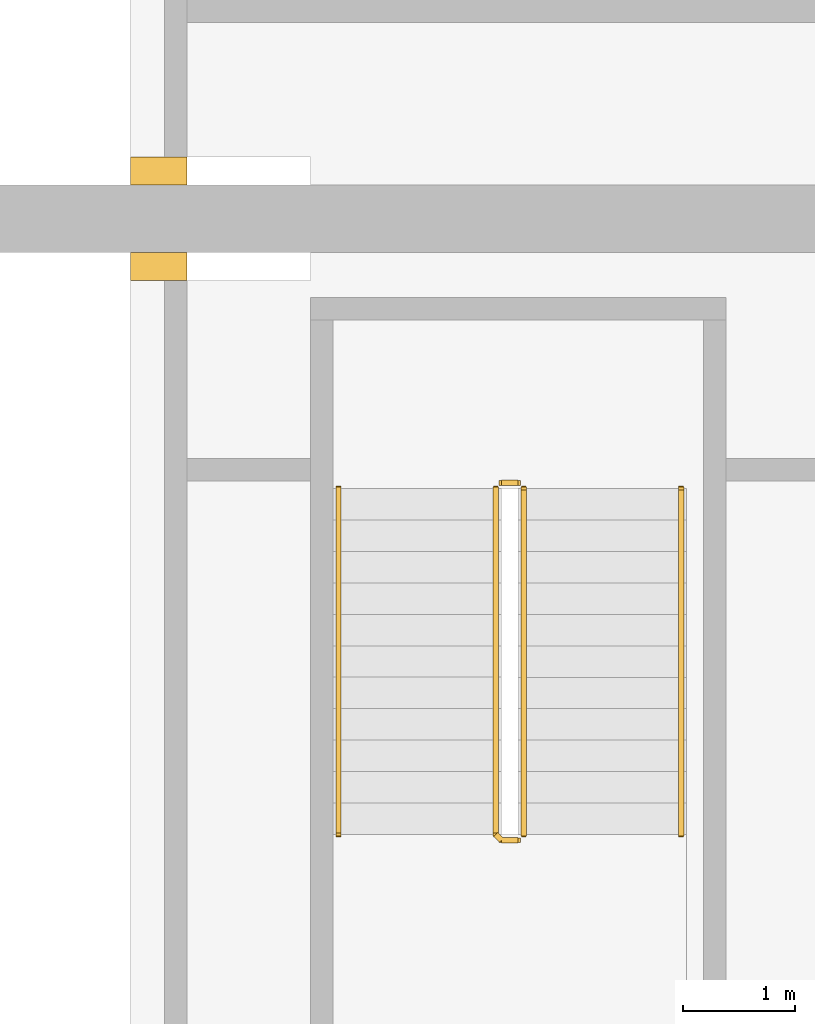
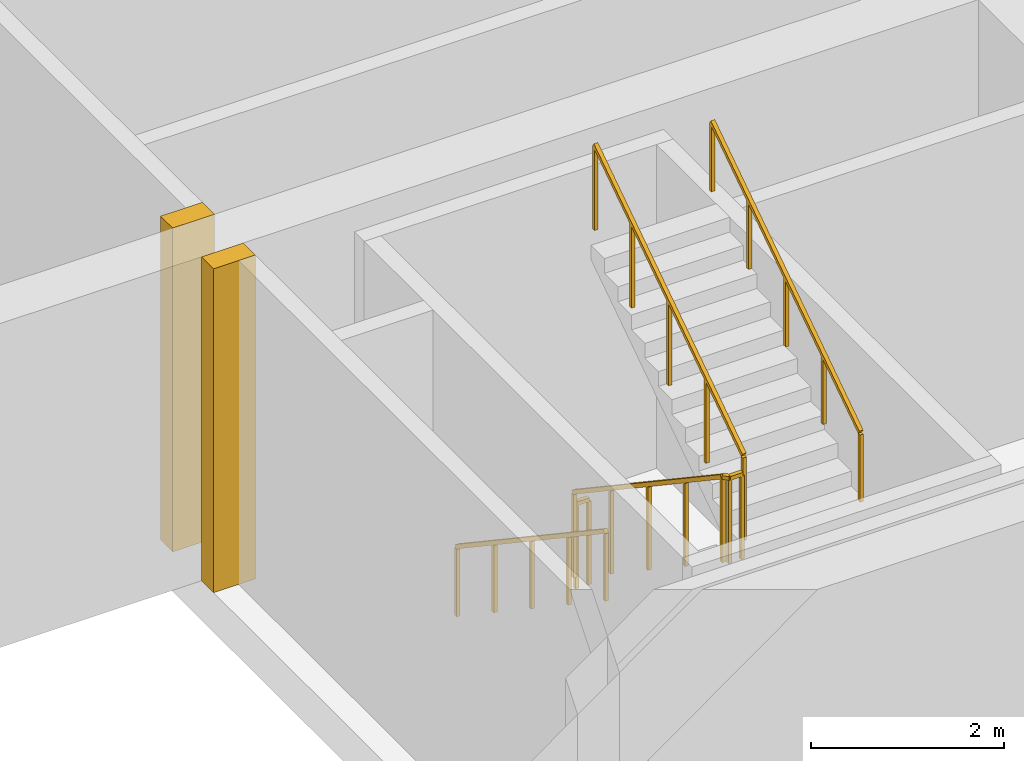
# One storey, part 7 of 10: 5 railings, 2 coverings.
"""IFC4 building model written with IfcOpenShell, lengths in metres."""

from ifc_helpers import new_model, si_unit, direction, frame, origin, origin_2d, place, context, subcontext, project, spatial, polyline, rectangle, outline, extrude, material, type_object, element, save


model = new_model("IFC4")

# Units and contexts
model_context = context("Model", 3, precision=1e-05, world=origin(), true_north=direction((0.0, 1.0)))
body_context = subcontext(model_context, "Body", "Model", "MODEL_VIEW")
ifc_project = project(units=[si_unit("LENGTHUNIT", "METRE"), si_unit("AREAUNIT", "SQUARE_METRE"), si_unit("VOLUMEUNIT", "CUBIC_METRE"), si_unit("PLANEANGLEUNIT", "RADIAN"), si_unit("MASSUNIT", "GRAM", prefix="KILO")], contexts=[model_context])

# Site, building, storey
site_placement = place(None, origin())
site = spatial("IfcSite", under=ifc_project, at=site_placement, CompositionType="ELEMENT")
building_placement = place(site_placement, origin())
building = spatial("IfcBuilding", under=site, at=building_placement, Name="Vermilion Ogive Tower", CompositionType="ELEMENT")
storey_placement = place(building_placement, frame((0.0, 0.0, 171.050048828125)))
storey = spatial("IfcBuildingStorey", under=building, at=storey_placement, Name="L44", CompositionType="ELEMENT", Elevation=171.050048828125)

# Railings
ifc_material_1 = material(Name="Steel S355 painted", Category="steel")
railing_type_1 = type_object("IfcRailingType", Name="Stair guard 1100", PredefinedType="GUARDRAIL", material=ifc_material_1)
railing_1_placement = place(storey_placement, frame((-18.800048828125, 1.800048828125, 0.1875)))
element("IfcRailing", 1, at=railing_1_placement, inside=storey, type_object=railing_type_1, Name="L44 ST9 stair guard 1", PredefinedType="GUARDRAIL", context=body_context, shape_type="SweptSolid", body=[
    extrude(rectangle(XDim=0.048095703125, YDim=0.048095703125, at=origin_2d()), frame((0.0, 0.0, 1.076171875), z_axis=(0.0, -0.830913701846, 0.55640131208), x_axis=(1.0, 0.0, 0.0)), (0.0, 0.0, 1.0), 3.706787109375),
    extrude(rectangle(XDim=0.048095703125, YDim=0.048095703125, at=origin_2d()), frame((0.0, -3.080078125, 3.138671875), z_axis=(0.707106781187, -0.707106781187, 0.0), x_axis=(0.707106781187, 0.707106781187, 0.0)), (0.0, 0.0, 1.0), 0.07080078125),
    extrude(rectangle(XDim=0.048095703125, YDim=0.048095703125, at=origin_2d()), frame((0.050048828125, -3.130126953125, 3.138671875), z_axis=(1.0, 0.0, 0.0), x_axis=(0.0, 1.0, 0.0)), (0.0, 0.0, 1.0), 0.14990234375),
    extrude(rectangle(XDim=0.0419921875, YDim=0.0419921875, at=origin_2d()), origin(), (0.0, 0.0, 1.0), 1.052001953125),
    extrude(rectangle(XDim=0.0419921875, YDim=0.0419921875, at=origin_2d()), frame((0.0, -0.77001953125, 0.515625)), (0.0, 0.0, 1.0), 1.052001953125),
    extrude(rectangle(XDim=0.0419921875, YDim=0.0419921875, at=origin_2d()), frame((0.0, -1.5400390625, 1.03125)), (0.0, 0.0, 1.0), 1.052001953125),
    extrude(rectangle(XDim=0.0419921875, YDim=0.0419921875, at=origin_2d()), frame((0.0, -2.31005859375, 1.546875)), (0.0, 0.0, 1.0), 1.052001953125),
    extrude(rectangle(XDim=0.0419921875, YDim=0.0419921875, at=origin_2d()), frame((0.0, -3.080078125, 2.0625)), (0.0, 0.0, 1.0), 1.052001953125),
    extrude(rectangle(XDim=0.0419921875, YDim=0.0419921875, at=origin_2d()), frame((0.050048828125, -3.130126953125, 2.0625)), (0.0, 0.0, 1.0), 1.052001953125),
    extrude(rectangle(XDim=0.0419921875, YDim=0.0419921875, at=origin_2d()), frame((0.199951171875, -3.130126953125, 2.0625)), (0.0, 0.0, 1.0), 1.052001953125),
])
railing_2_placement = place(storey_placement, frame((-18.550048828125, -1.280029296875, 2.4375)))
element("IfcRailing", 2, at=railing_2_placement, inside=storey, type_object=railing_type_1, Name="L44 ST9 stair guard 3", PredefinedType="GUARDRAIL", context=body_context, shape_type="SweptSolid", body=[
    extrude(rectangle(XDim=0.048095703125, YDim=0.048095703125, at=origin_2d()), frame((0.0, 0.0, 1.076171875), z_axis=(0.0, 0.830913701846, 0.55640131208), x_axis=(-1.0, 0.0, 0.0)), (0.0, 0.0, 1.0), 3.706787109375),
    extrude(rectangle(XDim=0.0419921875, YDim=0.0419921875, at=origin_2d()), origin(), (0.0, 0.0, 1.0), 1.052001953125),
    extrude(rectangle(XDim=0.0419921875, YDim=0.0419921875, at=origin_2d()), frame((0.0, 0.77001953125, 0.515625)), (0.0, 0.0, 1.0), 1.052001953125),
    extrude(rectangle(XDim=0.0419921875, YDim=0.0419921875, at=origin_2d()), frame((0.0, 1.5400390625, 1.03125)), (0.0, 0.0, 1.0), 1.052001953125),
    extrude(rectangle(XDim=0.0419921875, YDim=0.0419921875, at=origin_2d()), frame((0.0, 2.31005859375, 1.546875)), (0.0, 0.0, 1.0), 1.052001953125),
    extrude(rectangle(XDim=0.0419921875, YDim=0.0419921875, at=origin_2d()), frame((0.0, 3.080078125, 2.0625)), (0.0, 0.0, 1.0), 1.052001953125),
])
railing_3_placement = place(storey_placement, frame((-18.75, 1.85009765625, 0.0)))
element("IfcRailing", 3, at=railing_3_placement, inside=storey, type_object=railing_type_1, Name="L44 ST9 stair guard 4", PredefinedType="GUARDRAIL", context=body_context, shape_type="SweptSolid", body=[
    extrude(rectangle(XDim=0.048095703125, YDim=0.048095703125, at=origin_2d()), frame((0.0, 0.0, 1.076171875), z_axis=(1.0, 0.0, 0.0), x_axis=(0.0, 1.0, 0.0)), (0.0, 0.0, 1.0), 0.14990234375),
    extrude(rectangle(XDim=0.0419921875, YDim=0.0419921875, at=origin_2d()), origin(), (0.0, 0.0, 1.0), 1.052001953125),
    extrude(rectangle(XDim=0.0419921875, YDim=0.0419921875, at=origin_2d()), frame((0.14990234375, 0.0, 0.0)), (0.0, 0.0, 1.0), 1.052001953125),
])
ifc_material_2 = material(Name="Stainless steel", Category="steel")
railing_type_2 = type_object("IfcRailingType", Name="Stair handrail 900", PredefinedType="HANDRAIL", material=ifc_material_2)
railing_4_placement = place(storey_placement, frame((-20.199951171875, 1.800048828125, 0.1875)))
element("IfcRailing", 4, at=railing_4_placement, inside=storey, type_object=railing_type_2, Name="L44 ST9 stair handrail 1", PredefinedType="HANDRAIL", context=body_context, shape_type="SweptSolid", body=[
    extrude(rectangle(XDim=0.048095703125, YDim=0.048095703125, at=origin_2d()), frame((0.0, 0.0, 0.8759765625), z_axis=(0.0, -0.830913701846, 0.55640131208), x_axis=(1.0, 0.0, 0.0)), (0.0, 0.0, 1.0), 3.706787109375),
    extrude(rectangle(XDim=0.0419921875, YDim=0.0419921875, at=origin_2d()), origin(), (0.0, 0.0, 1.0), 0.851806640625),
    extrude(rectangle(XDim=0.0419921875, YDim=0.0419921875, at=origin_2d()), frame((0.0, -0.77001953125, 0.515625)), (0.0, 0.0, 1.0), 0.851806640625),
    extrude(rectangle(XDim=0.0419921875, YDim=0.0419921875, at=origin_2d()), frame((0.0, -1.5400390625, 1.03125)), (0.0, 0.0, 1.0), 0.851806640625),
    extrude(rectangle(XDim=0.0419921875, YDim=0.0419921875, at=origin_2d()), frame((0.0, -2.31005859375, 1.546875)), (0.0, 0.0, 1.0), 0.851806640625),
    extrude(rectangle(XDim=0.0419921875, YDim=0.0419921875, at=origin_2d()), frame((0.0, -3.080078125, 2.0625)), (0.0, 0.0, 1.0), 0.851806640625),
])
railing_5_placement = place(storey_placement, frame((-17.14990234375, -1.280029296875, 2.4375)))
element("IfcRailing", 5, at=railing_5_placement, inside=storey, type_object=railing_type_2, Name="L44 ST9 stair handrail 2", PredefinedType="HANDRAIL", context=body_context, shape_type="SweptSolid", body=[
    extrude(rectangle(XDim=0.048095703125, YDim=0.048095703125, at=origin_2d()), frame((0.0, 0.0, 0.8759765625), z_axis=(0.0, 0.830913701846, 0.55640131208), x_axis=(-1.0, 0.0, 0.0)), (0.0, 0.0, 1.0), 3.706787109375),
    extrude(rectangle(XDim=0.0419921875, YDim=0.0419921875, at=origin_2d()), origin(), (0.0, 0.0, 1.0), 0.851806640625),
    extrude(rectangle(XDim=0.0419921875, YDim=0.0419921875, at=origin_2d()), frame((0.0, 0.77001953125, 0.515625)), (0.0, 0.0, 1.0), 0.851806640625),
    extrude(rectangle(XDim=0.0419921875, YDim=0.0419921875, at=origin_2d()), frame((0.0, 1.5400390625, 1.03125)), (0.0, 0.0, 1.0), 0.851806640625),
    extrude(rectangle(XDim=0.0419921875, YDim=0.0419921875, at=origin_2d()), frame((0.0, 2.31005859375, 1.546875)), (0.0, 0.0, 1.0), 0.851806640625),
    extrude(rectangle(XDim=0.0419921875, YDim=0.0419921875, at=origin_2d()), frame((0.0, 3.080078125, 2.0625)), (0.0, 0.0, 1.0), 0.851806640625),
])

# Coverings
ifc_material_3 = material(Name="Stone cladding", Category="masonry")
covering_type = type_object("IfcCoveringType", Name="Stone pier", PredefinedType="CLADDING", material=ifc_material_3)
covering_1_placement = place(storey_placement, origin())
element("IfcCovering", 6, at=covering_1_placement, inside=storey, type_object=covering_type, Name="Stone pier P-0210+042", PredefinedType="CLADDING", context=body_context, shape_type="SweptSolid", body=[
    extrude(outline(polyline([(-21.550048828125, 4.5), (-22.050048828125, 4.5), (-22.050048828125, 4.75), (-21.550048828125, 4.75), (-21.550048828125, 4.75), (-21.550048828125, 4.5)])), origin(), (0.0, 0.0, 1.0), 4.099853515625),
])
covering_2_placement = place(storey_placement, origin())
element("IfcCovering", 7, at=covering_2_placement, inside=storey, type_object=covering_type, Name="Stone pier P-0210+0421", PredefinedType="CLADDING", context=body_context, shape_type="SweptSolid", body=[
    extrude(outline(polyline([(-21.550048828125, 3.64990234375), (-22.050048828125, 3.64990234375), (-22.050048828125, 3.89990234375), (-21.550048828125, 3.89990234375), (-21.550048828125, 3.64990234375)])), origin(), (0.0, 0.0, 1.0), 4.099853515625),
])

save(model, "model.ifc")
